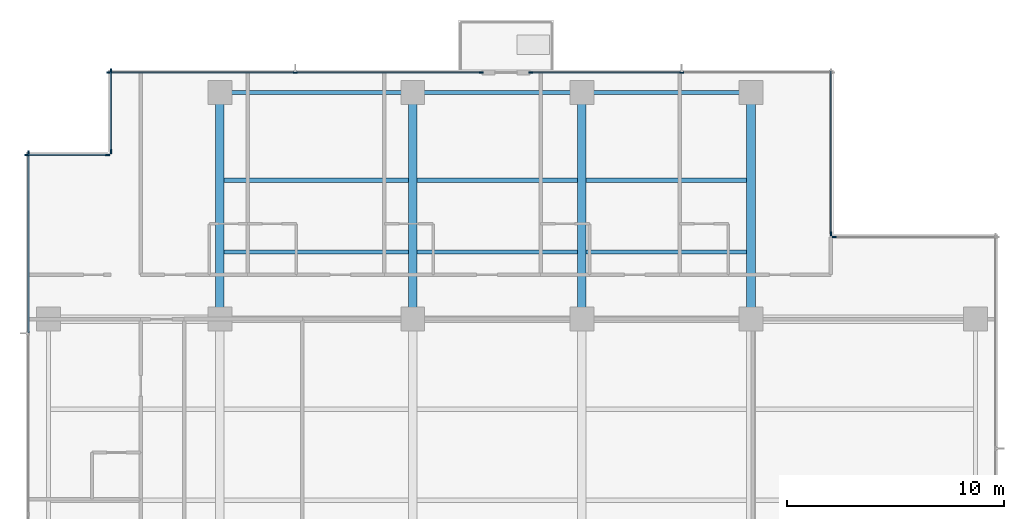
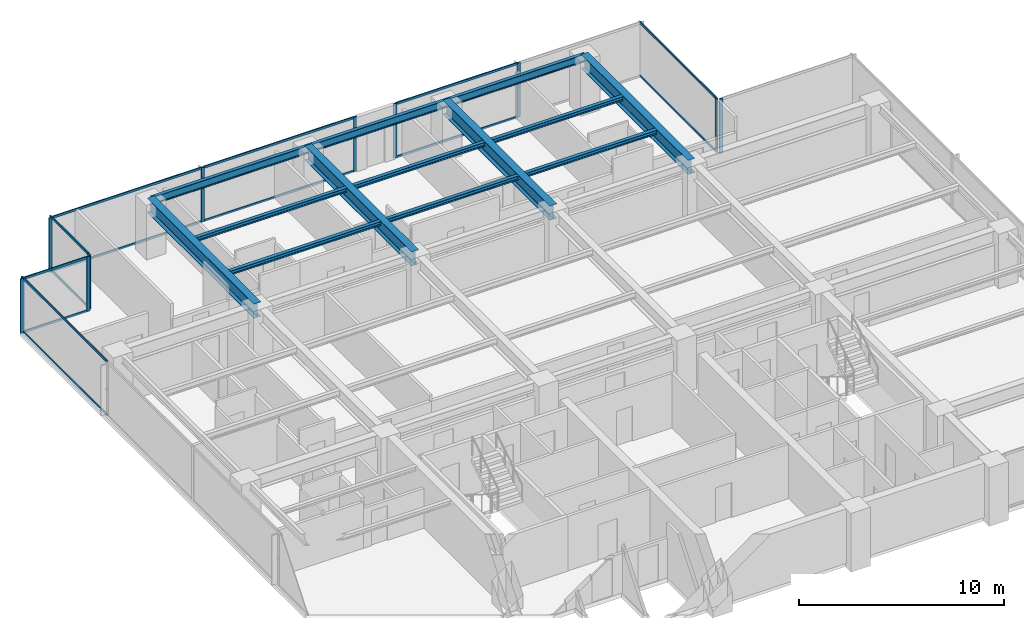
# One storey, part 4 of 15: 26 members, 13 beams, 7 elements without a shape of their own.
"""IFC4 building model written with IfcOpenShell, lengths in metres."""

from ifc_helpers import new_model, si_unit, direction, frame, origin, origin_2d, place, context, subcontext, project, spatial, rectangle, i_section, extrude, material, layer, layer_set, material_profile, profile_set, type_object, element, aggregate, save


model = new_model("IFC4")

# Units and contexts
model_context = context("Model", 3, precision=1e-05, world=origin(), true_north=direction((0.0, 1.0)))
body_context = subcontext(model_context, "Body", "Model", "MODEL_VIEW")
ifc_project = project(units=[si_unit("LENGTHUNIT", "METRE"), si_unit("AREAUNIT", "SQUARE_METRE"), si_unit("VOLUMEUNIT", "CUBIC_METRE"), si_unit("PLANEANGLEUNIT", "RADIAN"), si_unit("MASSUNIT", "GRAM", prefix="KILO")], contexts=[model_context])

# Site, building, storey
site_placement = place(None, origin())
site = spatial("IfcSite", under=ifc_project, at=site_placement, CompositionType="ELEMENT")
building_placement = place(site_placement, origin())
building = spatial("IfcBuilding", under=site, at=building_placement, Name="Qalmaran Belvedere Hotel", CompositionType="ELEMENT")
storey_placement = place(building_placement, frame((0.0, 0.0, 170.10009765625)))
storey = spatial("IfcBuildingStorey", under=building, at=storey_placement, Name="L43", CompositionType="ELEMENT", Elevation=170.10009765625)

# Beams
ifc_material_1 = material(Name="Steel S355JR", Category="steel")
ifc_material_profile_1 = material_profile(ifc_material_1, i_section(OverallWidth=0.201904296875, OverallDepth=0.2470703125, WebThickness=0.00732421875, FlangeThickness=0.010986328125, FilletRadius=0.011962890625, at=origin_2d()), Name="W250X49")
ifc_profile_set_1 = profile_set([ifc_material_profile_1], Name="Steel S355JR")
beam_type_1 = type_object("IfcBeamType", Name="BM-JST-W250X49", PredefinedType="JOIST", material=ifc_profile_set_1)
beam_1_placement = place(storey_placement, frame((20.498046875, 36.10009765625, 3.12646484375), z_axis=(1.0, 0.0, 0.0), x_axis=(0.0, 1.0, 0.0)))
element("IfcBeam", 1, at=beam_1_placement, inside=storey, type_object=beam_type_1, Name="L43 North Floor Joist 042", PredefinedType="JOIST", context=body_context, shape_type="SweptSolid", body=[
    extrude(i_section(OverallWidth=0.201904296875, OverallDepth=0.2470703125, WebThickness=0.00732421875, FlangeThickness=0.010986328125, FilletRadius=0.011962890625, at=origin_2d()), origin(), (0.0, 0.0, 1.0), 8.50390625),
])
for number, where, z_axis, x_axis, name in (
    (2, (29.39794921875, 36.10009765625, 3.12646484375), (1.0, 0.0, 0.0), (0.0, 1.0, 0.0), "L43 North Floor Joist 043"),
    (3, (37.197998046875, 36.10009765625, 3.12646484375), (1.0, 0.0, 0.0), (0.0, 1.0, 0.0), "L43 North Floor Joist 044"),
):
    element("IfcBeam", number, at=place(storey_placement, frame(where, z_axis=z_axis, x_axis=x_axis)), inside=storey, type_object=beam_type_1, Name=name, PredefinedType="JOIST", context=body_context, shape_type="SweptSolid", body=[
        extrude(i_section(OverallWidth=0.201904296875, OverallDepth=0.2470703125, WebThickness=0.00732421875, FlangeThickness=0.010986328125, FilletRadius=0.011962890625, at=origin_2d()), origin(), (0.0, 0.0, 1.0), 7.404052734375),
    ])
beam_2_placement = place(storey_placement, frame((20.498046875, 39.39990234375, 3.12646484375), z_axis=(1.0, 0.0, 0.0), x_axis=(0.0, 1.0, 0.0)))
element("IfcBeam", 4, at=beam_2_placement, inside=storey, type_object=beam_type_1, Name="L43 North Floor Joist 045", PredefinedType="JOIST", context=body_context, shape_type="SweptSolid", body=[
    extrude(i_section(OverallWidth=0.201904296875, OverallDepth=0.2470703125, WebThickness=0.00732421875, FlangeThickness=0.010986328125, FilletRadius=0.011962890625, at=origin_2d()), origin(), (0.0, 0.0, 1.0), 8.50390625),
])
for number, where, z_axis, x_axis, name in (
    (5, (29.39794921875, 39.39990234375, 3.12646484375), (1.0, 0.0, 0.0), (0.0, 1.0, 0.0), "L43 North Floor Joist 046"),
    (6, (37.197998046875, 39.39990234375, 3.12646484375), (1.0, 0.0, 0.0), (0.0, 1.0, 0.0), "L43 North Floor Joist 047"),
):
    element("IfcBeam", number, at=place(storey_placement, frame(where, z_axis=z_axis, x_axis=x_axis)), inside=storey, type_object=beam_type_1, Name=name, PredefinedType="JOIST", context=body_context, shape_type="SweptSolid", body=[
        extrude(i_section(OverallWidth=0.201904296875, OverallDepth=0.2470703125, WebThickness=0.00732421875, FlangeThickness=0.010986328125, FilletRadius=0.011962890625, at=origin_2d()), origin(), (0.0, 0.0, 1.0), 7.404052734375),
    ])
ifc_material_profile_2 = material_profile(ifc_material_1, i_section(OverallWidth=0.39990234375, OverallDepth=0.85498046875, WebThickness=0.018310546875, FlangeThickness=0.029296875, FilletRadius=0.02392578125, at=origin_2d()), Name="W840X299")
ifc_profile_set_2 = profile_set([ifc_material_profile_2], Name="Steel S355JR")
beam_type_2 = type_object("IfcBeamType", Name="BM-PG3-W840X299", PredefinedType="USERDEFINED", material=ifc_profile_set_2)
for number, where, z_axis, x_axis, name in (
    (7, (20.300048828125, 33.0, 2.822509765625), (0.0, 1.0, 0.0), (-1.0, 0.0, 0.0), "L43 North Bay Girder 15"),
    (8, (29.199951171875, 33.0, 2.822509765625), (0.0, 1.0, 0.0), (-1.0, 0.0, 0.0), "L43 North Bay Girder 17"),
    (9, (37.0, 33.0, 2.822509765625), (0.0, 1.0, 0.0), (-1.0, 0.0, 0.0), "L43 North Bay Girder 19"),
    (10, (44.800048828125, 33.0, 2.822509765625), (0.0, 1.0, 0.0), (-1.0, 0.0, 0.0), "L43 North Bay Girder 21"),
):
    element("IfcBeam", number, at=place(storey_placement, frame(where, z_axis=z_axis, x_axis=x_axis)), inside=storey, type_object=beam_type_2, Name=name, ObjectType="GIRDER", PredefinedType="USERDEFINED", context=body_context, shape_type="SweptSolid", body=[
        extrude(i_section(OverallWidth=0.39990234375, OverallDepth=0.85498046875, WebThickness=0.018310546875, FlangeThickness=0.029296875, FilletRadius=0.02392578125, at=origin_2d()), origin(), (0.0, 0.0, 1.0), 10.449951171875),
    ])
ifc_material_profile_3 = material_profile(ifc_material_1, i_section(OverallWidth=0.19189453125, OverallDepth=0.462890625, WebThickness=0.010498046875, FlangeThickness=0.017578125, FilletRadius=0.01611328125, at=origin_2d()), Name="W460X89")
ifc_profile_set_3 = profile_set([ifc_material_profile_3], Name="Steel S355JR")
beam_type_3 = type_object("IfcBeamType", Name="BM-SP2-W460X89", PredefinedType="SPANDREL", material=ifc_profile_set_3)
beam_3_placement = place(storey_placement, frame((20.300048828125, 43.449951171875, 3.018310546875), z_axis=(1.0, 0.0, 0.0), x_axis=(0.0, 1.0, 0.0)))
element("IfcBeam", 11, at=beam_3_placement, inside=storey, type_object=beam_type_3, Name="L43 Perimeter Spandrel 05", PredefinedType="SPANDREL", context=body_context, shape_type="SweptSolid", body=[
    extrude(i_section(OverallWidth=0.19189453125, OverallDepth=0.462890625, WebThickness=0.010498046875, FlangeThickness=0.017578125, FilletRadius=0.01611328125, at=origin_2d()), origin(), (0.0, 0.0, 1.0), 8.89990234375),
])
for number, where, z_axis, x_axis, name in (
    (12, (29.199951171875, 43.449951171875, 3.018310546875), (1.0, 0.0, 0.0), (0.0, 1.0, 0.0), "L43 Perimeter Spandrel 06"),
    (13, (37.0, 43.449951171875, 3.018310546875), (1.0, 0.0, 0.0), (0.0, 1.0, 0.0), "L43 Perimeter Spandrel 07"),
):
    element("IfcBeam", number, at=place(storey_placement, frame(where, z_axis=z_axis, x_axis=x_axis)), inside=storey, type_object=beam_type_3, Name=name, PredefinedType="SPANDREL", context=body_context, shape_type="SweptSolid", body=[
        extrude(i_section(OverallWidth=0.19189453125, OverallDepth=0.462890625, WebThickness=0.010498046875, FlangeThickness=0.017578125, FilletRadius=0.01611328125, at=origin_2d()), origin(), (0.0, 0.0, 1.0), 7.800048828125),
    ])

# Curtain wall, member
ifc_material_2 = material(Name="Anodised Bronze Aluminium", Category="aluminium")
ifc_layer = layer(ifc_material_2, 0.195068359375, Name="Anodised Bronze Aluminium")
ifc_layer_set = layer_set([ifc_layer], Name="Anodised Bronze Aluminium")
curtain_wall_type = type_object("IfcCurtainWallType", Name="CW4-TOWER-HIGHMID", PredefinedType="NOTDEFINED", material=ifc_layer_set)
curtain_wall_1_placement = place(storey_placement, origin())
curtain_wall_1 = element("IfcCurtainWall", 14, at=curtain_wall_1_placement, inside=storey, type_object=curtain_wall_type, Name="L43 Curtain Wall CW4", PredefinedType="NOTDEFINED")
ifc_material_profile_4 = material_profile(ifc_material_2, rectangle(XDim=0.070068359375, YDim=0.18994140625, at=origin_2d()), Name="CWM70X190")
ifc_profile_set_4 = profile_set([ifc_material_profile_4], Name="Anodised Bronze Aluminium")
member_type_1 = type_object("IfcMemberType", Name="CWM-70X190", PredefinedType="MULLION", material=ifc_profile_set_4)
member_1_placement = place(storey_placement, frame((48.635009765625, 36.780029296875, 0.0), z_axis=(0.0, 0.0, 1.0), x_axis=(0.0, -1.0, 0.0)))
member_1 = element("IfcMember", 15, at=member_1_placement, type_object=member_type_1, Name="CW4 mullion 2", PredefinedType="MULLION", context=body_context, shape_type="SweptSolid", body=[
    extrude(rectangle(XDim=0.070068359375, YDim=0.18994140625, at=origin_2d()), origin(), (0.0, 0.0, 1.0), 3.25),
])
aggregate(curtain_wall_1, [member_1])

curtain_wall_2_placement = place(storey_placement, origin())
curtain_wall_2 = element("IfcCurtainWall", 16, at=curtain_wall_2_placement, inside=storey, type_object=curtain_wall_type, Name="L43 Curtain Wall CW4", PredefinedType="NOTDEFINED")
member_2_placement = place(storey_placement, frame((48.47998046875, 36.93505859375, 0.0), z_axis=(0.0, 0.0, 1.0), x_axis=(-1.0, 0.0, 0.0)))
member_2 = element("IfcMember", 17, at=member_2_placement, type_object=member_type_1, Name="CW4 mullion 1", PredefinedType="MULLION", context=body_context, shape_type="SweptSolid", body=[
    extrude(rectangle(XDim=0.070068359375, YDim=0.18994140625, at=origin_2d()), origin(), (0.0, 0.0, 1.0), 3.25),
])

# Curtain wall, members
curtain_wall_3_placement = place(storey_placement, origin())
curtain_wall_3 = element("IfcCurtainWall", 18, at=curtain_wall_3_placement, inside=storey, type_object=curtain_wall_type, Name="L43 Curtain Wall CW4", PredefinedType="NOTDEFINED")
member_3_placement = place(storey_placement, frame((32.364990234375, 44.3798828125, 0.0), z_axis=(0.0, 0.0, 1.0), x_axis=(0.0, -1.0, 0.0)))
member_3 = element("IfcMember", 19, at=member_3_placement, type_object=member_type_1, Name="CW4 mullion 1", PredefinedType="MULLION", context=body_context, shape_type="SweptSolid", body=[
    extrude(rectangle(XDim=0.070068359375, YDim=0.18994140625, at=origin_2d()), origin(), (0.0, 0.0, 1.0), 3.25),
])
member_4_placement = place(storey_placement, frame((23.77490234375, 44.3798828125, 0.0), z_axis=(0.0, 0.0, 1.0), x_axis=(0.0, -1.0, 0.0)))
member_4 = element("IfcMember", 20, at=member_4_placement, type_object=member_type_1, Name="CW4 mullion 2", PredefinedType="MULLION", context=body_context, shape_type="SweptSolid", body=[
    extrude(rectangle(XDim=0.070068359375, YDim=0.18994140625, at=origin_2d()), origin(), (0.0, 0.0, 1.0), 3.25),
])
member_5_placement = place(storey_placement, frame((15.18505859375, 44.3798828125, 0.0), z_axis=(0.0, 0.0, 1.0), x_axis=(0.0, -1.0, 0.0)))
member_5 = element("IfcMember", 21, at=member_5_placement, type_object=member_type_1, Name="CW4 mullion 3", PredefinedType="MULLION", context=body_context, shape_type="SweptSolid", body=[
    extrude(rectangle(XDim=0.070068359375, YDim=0.18994140625, at=origin_2d()), origin(), (0.0, 0.0, 1.0), 3.25),
])

curtain_wall_4_placement = place(storey_placement, origin())
curtain_wall_4 = element("IfcCurtainWall", 22, at=curtain_wall_4_placement, inside=storey, type_object=curtain_wall_type, Name="L43 Curtain Wall CW4", PredefinedType="NOTDEFINED")
member_6_placement = place(storey_placement, frame((41.60009765625, 44.3798828125, 0.0), z_axis=(0.0, 0.0, 1.0), x_axis=(0.0, -1.0, 0.0)))
member_6 = element("IfcMember", 23, at=member_6_placement, type_object=member_type_1, Name="CW4 mullion 2", PredefinedType="MULLION", context=body_context, shape_type="SweptSolid", body=[
    extrude(rectangle(XDim=0.070068359375, YDim=0.18994140625, at=origin_2d()), origin(), (0.0, 0.0, 1.0), 3.25),
])
member_7_placement = place(storey_placement, frame((34.635009765625, 44.3798828125, 0.0), z_axis=(0.0, 0.0, 1.0), x_axis=(0.0, -1.0, 0.0)))
member_7 = element("IfcMember", 24, at=member_7_placement, type_object=member_type_1, Name="CW4 mullion 3", PredefinedType="MULLION", context=body_context, shape_type="SweptSolid", body=[
    extrude(rectangle(XDim=0.070068359375, YDim=0.18994140625, at=origin_2d()), origin(), (0.0, 0.0, 1.0), 3.25),
])

curtain_wall_5_placement = place(storey_placement, origin())
curtain_wall_5 = element("IfcCurtainWall", 25, at=curtain_wall_5_placement, inside=storey, type_object=curtain_wall_type, Name="L43 Curtain Wall CW4", PredefinedType="NOTDEFINED")
member_8_placement = place(storey_placement, frame((15.27001953125, 44.465087890625, 0.0), z_axis=(0.0, 0.0, 1.0), x_axis=(1.0, 0.0, 0.0)))
member_8 = element("IfcMember", 26, at=member_8_placement, type_object=member_type_1, Name="CW4 mullion 1", PredefinedType="MULLION", context=body_context, shape_type="SweptSolid", body=[
    extrude(rectangle(XDim=0.070068359375, YDim=0.18994140625, at=origin_2d()), origin(), (0.0, 0.0, 1.0), 3.25),
])
member_9_placement = place(storey_placement, frame((15.27001953125, 40.735107421875, 0.0), z_axis=(0.0, 0.0, 1.0), x_axis=(1.0, 0.0, 0.0)))
member_9 = element("IfcMember", 27, at=member_9_placement, type_object=member_type_1, Name="CW4 mullion 2", PredefinedType="MULLION", context=body_context, shape_type="SweptSolid", body=[
    extrude(rectangle(XDim=0.070068359375, YDim=0.18994140625, at=origin_2d()), origin(), (0.0, 0.0, 1.0), 3.25),
])

curtain_wall_6_placement = place(storey_placement, origin())
curtain_wall_6 = element("IfcCurtainWall", 28, at=curtain_wall_6_placement, inside=storey, type_object=curtain_wall_type, Name="L43 Curtain Wall CW4", PredefinedType="NOTDEFINED")
member_10_placement = place(storey_placement, frame((15.114990234375, 40.580078125, 0.0), z_axis=(0.0, 0.0, 1.0), x_axis=(0.0, -1.0, 0.0)))
member_10 = element("IfcMember", 29, at=member_10_placement, type_object=member_type_1, Name="CW4 mullion 1", PredefinedType="MULLION", context=body_context, shape_type="SweptSolid", body=[
    extrude(rectangle(XDim=0.070068359375, YDim=0.18994140625, at=origin_2d()), origin(), (0.0, 0.0, 1.0), 3.25),
])
member_11_placement = place(storey_placement, frame((11.385009765625, 40.580078125, 0.0), z_axis=(0.0, 0.0, 1.0), x_axis=(0.0, -1.0, 0.0)))
member_11 = element("IfcMember", 30, at=member_11_placement, type_object=member_type_1, Name="CW4 mullion 2", PredefinedType="MULLION", context=body_context, shape_type="SweptSolid", body=[
    extrude(rectangle(XDim=0.070068359375, YDim=0.18994140625, at=origin_2d()), origin(), (0.0, 0.0, 1.0), 3.25),
])

# Curtain wall, member
curtain_wall_7_placement = place(storey_placement, origin())
curtain_wall_7 = element("IfcCurtainWall", 31, at=curtain_wall_7_placement, inside=storey, type_object=curtain_wall_type, Name="L43 Curtain Wall CW4", PredefinedType="NOTDEFINED")
member_12_placement = place(storey_placement, frame((11.469970703125, 40.6650390625, 0.0), z_axis=(0.0, 0.0, 1.0), x_axis=(1.0, 0.0, 0.0)))
member_12 = element("IfcMember", 32, at=member_12_placement, type_object=member_type_1, Name="CW4 mullion 1", PredefinedType="MULLION", context=body_context, shape_type="SweptSolid", body=[
    extrude(rectangle(XDim=0.070068359375, YDim=0.18994140625, at=origin_2d()), origin(), (0.0, 0.0, 1.0), 3.25),
])

# Member
ifc_material_profile_5 = material_profile(ifc_material_2, rectangle(XDim=0.06494140625, YDim=0.1298828125, at=origin_2d()), Name="CWT65X130")
ifc_profile_set_5 = profile_set([ifc_material_profile_5], Name="Anodised Bronze Aluminium")
member_type_2 = type_object("IfcMemberType", Name="CWT-65X130", PredefinedType="USERDEFINED", material=ifc_profile_set_5)
member_13_placement = place(storey_placement, frame((48.47998046875, 36.969970703125, 0.032470703125), z_axis=(0.0, 1.0, 0.0), x_axis=(-1.0, 0.0, 0.0)))
member_13 = element("IfcMember", 33, at=member_13_placement, type_object=member_type_2, Name="CW4 transom 1.1", ObjectType="TRANSOM", PredefinedType="USERDEFINED", context=body_context, shape_type="SweptSolid", body=[
    extrude(rectangle(XDim=0.06494140625, YDim=0.1298828125, at=origin_2d()), origin(), (0.0, 0.0, 1.0), 7.4599609375),
])

member_14_placement = place(storey_placement, frame((48.47998046875, 36.969970703125, 3.21728515625), z_axis=(0.0, 1.0, 0.0), x_axis=(-1.0, 0.0, 0.0)))
member_14 = element("IfcMember", 34, at=member_14_placement, type_object=member_type_2, Name="CW4 transom 1.2", ObjectType="TRANSOM", PredefinedType="USERDEFINED", context=body_context, shape_type="SweptSolid", body=[
    extrude(rectangle(XDim=0.06494140625, YDim=0.1298828125, at=origin_2d()), origin(), (0.0, 0.0, 1.0), 7.4599609375),
])

aggregate(curtain_wall_2, [member_2, member_13, member_14])

member_15_placement = place(storey_placement, frame((32.330078125, 44.3798828125, 0.032470703125), z_axis=(-1.0, 0.0, 0.0), x_axis=(0.0, -1.0, 0.0)))
member_15 = element("IfcMember", 35, at=member_15_placement, type_object=member_type_2, Name="CW4 transom 1.1", ObjectType="TRANSOM", PredefinedType="USERDEFINED", context=body_context, shape_type="SweptSolid", body=[
    extrude(rectangle(XDim=0.06494140625, YDim=0.1298828125, at=origin_2d()), origin(), (0.0, 0.0, 1.0), 8.52001953125),
])

member_16_placement = place(storey_placement, frame((32.330078125, 44.3798828125, 3.21728515625), z_axis=(-1.0, 0.0, 0.0), x_axis=(0.0, -1.0, 0.0)))
member_16 = element("IfcMember", 36, at=member_16_placement, type_object=member_type_2, Name="CW4 transom 1.2", ObjectType="TRANSOM", PredefinedType="USERDEFINED", context=body_context, shape_type="SweptSolid", body=[
    extrude(rectangle(XDim=0.06494140625, YDim=0.1298828125, at=origin_2d()), origin(), (0.0, 0.0, 1.0), 8.52001953125),
])

member_17_placement = place(storey_placement, frame((23.739990234375, 44.3798828125, 0.032470703125), z_axis=(-1.0, 0.0, 0.0), x_axis=(0.0, -1.0, 0.0)))
member_17 = element("IfcMember", 37, at=member_17_placement, type_object=member_type_2, Name="CW4 transom 2.1", ObjectType="TRANSOM", PredefinedType="USERDEFINED", context=body_context, shape_type="SweptSolid", body=[
    extrude(rectangle(XDim=0.06494140625, YDim=0.1298828125, at=origin_2d()), origin(), (0.0, 0.0, 1.0), 8.52001953125),
])

member_18_placement = place(storey_placement, frame((23.739990234375, 44.3798828125, 3.21728515625), z_axis=(-1.0, 0.0, 0.0), x_axis=(0.0, -1.0, 0.0)))
member_18 = element("IfcMember", 38, at=member_18_placement, type_object=member_type_2, Name="CW4 transom 2.2", ObjectType="TRANSOM", PredefinedType="USERDEFINED", context=body_context, shape_type="SweptSolid", body=[
    extrude(rectangle(XDim=0.06494140625, YDim=0.1298828125, at=origin_2d()), origin(), (0.0, 0.0, 1.0), 8.52001953125),
])

aggregate(curtain_wall_3, [member_3, member_4, member_5, member_15, member_16, member_17, member_18])

member_19_placement = place(storey_placement, frame((41.56494140625, 44.3798828125, 0.032470703125), z_axis=(-1.0, 0.0, 0.0), x_axis=(0.0, -1.0, 0.0)))
member_19 = element("IfcMember", 39, at=member_19_placement, type_object=member_type_2, Name="CW4 transom 2.1", ObjectType="TRANSOM", PredefinedType="USERDEFINED", context=body_context, shape_type="SweptSolid", body=[
    extrude(rectangle(XDim=0.06494140625, YDim=0.1298828125, at=origin_2d()), origin(), (0.0, 0.0, 1.0), 6.89501953125),
])

member_20_placement = place(storey_placement, frame((41.56494140625, 44.3798828125, 3.21728515625), z_axis=(-1.0, 0.0, 0.0), x_axis=(0.0, -1.0, 0.0)))
member_20 = element("IfcMember", 40, at=member_20_placement, type_object=member_type_2, Name="CW4 transom 2.2", ObjectType="TRANSOM", PredefinedType="USERDEFINED", context=body_context, shape_type="SweptSolid", body=[
    extrude(rectangle(XDim=0.06494140625, YDim=0.1298828125, at=origin_2d()), origin(), (0.0, 0.0, 1.0), 6.89501953125),
])

aggregate(curtain_wall_4, [member_6, member_7, member_19, member_20])

member_21_placement = place(storey_placement, frame((15.27001953125, 44.429931640625, 0.032470703125), z_axis=(0.0, -1.0, 0.0), x_axis=(1.0, 0.0, 0.0)))
member_21 = element("IfcMember", 41, at=member_21_placement, type_object=member_type_2, Name="CW4 transom 1.1", ObjectType="TRANSOM", PredefinedType="USERDEFINED", context=body_context, shape_type="SweptSolid", body=[
    extrude(rectangle(XDim=0.06494140625, YDim=0.1298828125, at=origin_2d()), origin(), (0.0, 0.0, 1.0), 3.659912109375),
])

member_22_placement = place(storey_placement, frame((15.27001953125, 44.429931640625, 3.21728515625), z_axis=(0.0, -1.0, 0.0), x_axis=(1.0, 0.0, 0.0)))
member_22 = element("IfcMember", 42, at=member_22_placement, type_object=member_type_2, Name="CW4 transom 1.2", ObjectType="TRANSOM", PredefinedType="USERDEFINED", context=body_context, shape_type="SweptSolid", body=[
    extrude(rectangle(XDim=0.06494140625, YDim=0.1298828125, at=origin_2d()), origin(), (0.0, 0.0, 1.0), 3.659912109375),
])

aggregate(curtain_wall_5, [member_8, member_9, member_21, member_22])

member_23_placement = place(storey_placement, frame((15.080078125, 40.580078125, 0.032470703125), z_axis=(-1.0, 0.0, 0.0), x_axis=(0.0, -1.0, 0.0)))
member_23 = element("IfcMember", 43, at=member_23_placement, type_object=member_type_2, Name="CW4 transom 1.1", ObjectType="TRANSOM", PredefinedType="USERDEFINED", context=body_context, shape_type="SweptSolid", body=[
    extrude(rectangle(XDim=0.06494140625, YDim=0.1298828125, at=origin_2d()), origin(), (0.0, 0.0, 1.0), 3.66015625),
])

member_24_placement = place(storey_placement, frame((15.080078125, 40.580078125, 3.21728515625), z_axis=(-1.0, 0.0, 0.0), x_axis=(0.0, -1.0, 0.0)))
member_24 = element("IfcMember", 44, at=member_24_placement, type_object=member_type_2, Name="CW4 transom 1.2", ObjectType="TRANSOM", PredefinedType="USERDEFINED", context=body_context, shape_type="SweptSolid", body=[
    extrude(rectangle(XDim=0.06494140625, YDim=0.1298828125, at=origin_2d()), origin(), (0.0, 0.0, 1.0), 3.66015625),
])

aggregate(curtain_wall_6, [member_10, member_11, member_23, member_24])

member_25_placement = place(storey_placement, frame((11.469970703125, 40.6298828125, 0.032470703125), z_axis=(0.0, -1.0, 0.0), x_axis=(1.0, 0.0, 0.0)))
member_25 = element("IfcMember", 45, at=member_25_placement, type_object=member_type_2, Name="CW4 transom 1.1", ObjectType="TRANSOM", PredefinedType="USERDEFINED", context=body_context, shape_type="SweptSolid", body=[
    extrude(rectangle(XDim=0.06494140625, YDim=0.1298828125, at=origin_2d()), origin(), (0.0, 0.0, 1.0), 8.244873046875),
])

member_26_placement = place(storey_placement, frame((11.469970703125, 40.6298828125, 3.21728515625), z_axis=(0.0, -1.0, 0.0), x_axis=(1.0, 0.0, 0.0)))
member_26 = element("IfcMember", 46, at=member_26_placement, type_object=member_type_2, Name="CW4 transom 1.2", ObjectType="TRANSOM", PredefinedType="USERDEFINED", context=body_context, shape_type="SweptSolid", body=[
    extrude(rectangle(XDim=0.06494140625, YDim=0.1298828125, at=origin_2d()), origin(), (0.0, 0.0, 1.0), 8.244873046875),
])

aggregate(curtain_wall_7, [member_12, member_25, member_26])

save(model, "model.ifc")
